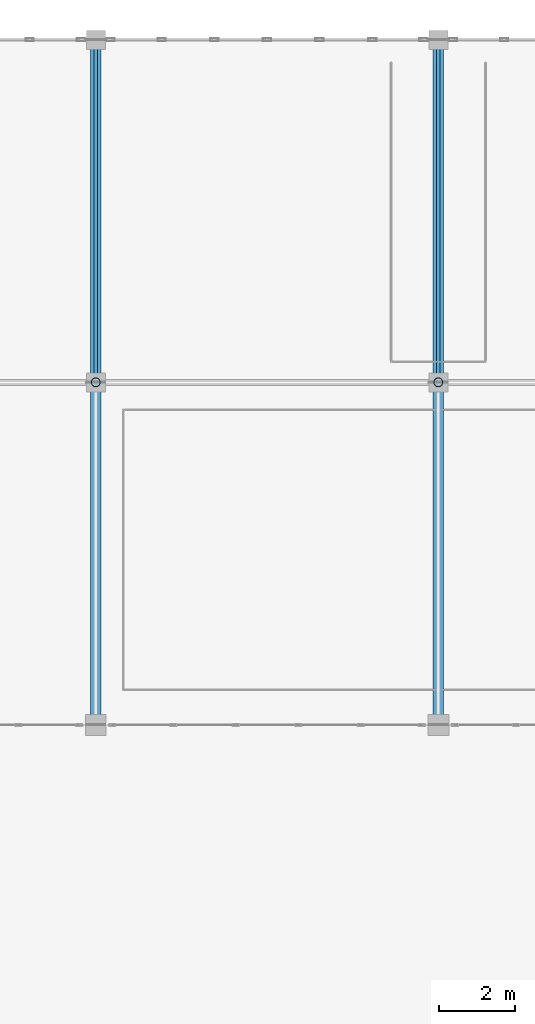
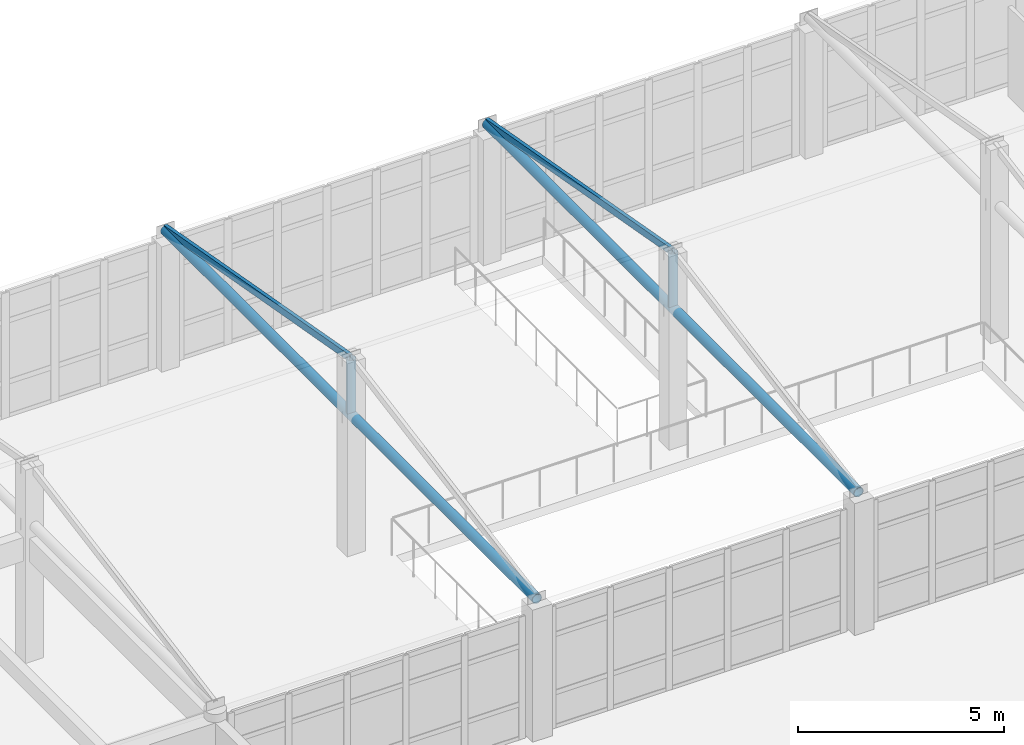
# One storey, part 61 of 156: 6 members.
"""IFC4 building model written with IfcOpenShell, lengths in metres."""

from ifc_helpers import new_model, si_unit, direction, frame, origin, origin_2d, place, context, subcontext, project, spatial, hollow_rectangle, hollow_circle, extrude, material, material_profile, profile_set, type_object, element, save


model = new_model("IFC4")

# Units and contexts
model_context = context("Model", 3, precision=1e-05, world=origin(), true_north=direction((0.0, 1.0)))
body_context = subcontext(model_context, "Body", "Model", "MODEL_VIEW")
ifc_project = project(units=[si_unit("LENGTHUNIT", "METRE"), si_unit("AREAUNIT", "SQUARE_METRE"), si_unit("VOLUMEUNIT", "CUBIC_METRE"), si_unit("PLANEANGLEUNIT", "RADIAN"), si_unit("MASSUNIT", "GRAM", prefix="KILO")], contexts=[model_context])

# Site, building, storey
site_placement = place(None, origin())
site = spatial("IfcSite", under=ifc_project, at=site_placement, CompositionType="ELEMENT")
building_placement = place(site_placement, origin())
building = spatial("IfcBuilding", under=site, at=building_placement, Name="Ornek Quay Market", CompositionType="ELEMENT")
storey_placement = place(building_placement, frame((0.0, 0.0, 4.5)))
storey = spatial("IfcBuildingStorey", under=building, at=storey_placement, Name="L01", CompositionType="ELEMENT", Elevation=4.5)

# Members
ifc_material = material(Name="Steel S355", Category="steel")
ifc_material_profile_1 = material_profile(ifc_material, hollow_circle(Radius=0.136474609375, WallThickness=0.012451171875, at=origin_2d()), Name="CHS 273x12.5", Category="steel")
ifc_profile_set_1 = profile_set([ifc_material_profile_1], Name="Steel S355")
member_type_1 = type_object("IfcMemberType", Name="MBR-CHD-CHS273", PredefinedType="CHORD", material=ifc_profile_set_1)
for number, where, z_axis, x_axis, name in (
    (1, (81.0, 92.0, 3.97998046875), (0.0, 1.0, 0.0), (-1.0, 0.0, 0.0), "Concourse skylight tie chord C-81"),
    (2, (90.0, 92.0, 3.97998046875), (0.0, 1.0, 0.0), (-1.0, 0.0, 0.0), "Concourse skylight tie chord C-90"),
):
    element("IfcMember", number, at=place(storey_placement, frame(where, z_axis=z_axis, x_axis=x_axis)), inside=storey, type_object=member_type_1, Name=name, PredefinedType="CHORD", context=body_context, shape_type="SweptSolid", body=[
        extrude(hollow_circle(Radius=0.136474609375, WallThickness=0.012451171875, at=origin_2d()), origin(), (0.0, 0.0, 1.0), 18.0),
    ])
ifc_material_profile_2 = material_profile(ifc_material, hollow_rectangle(XDim=0.10009765625, YDim=0.199951171875, WallThickness=0.008056640625, at=origin_2d()), Name="MBR-RAF-100x200", Category="steel")
ifc_profile_set_2 = profile_set([ifc_material_profile_2], Name="Steel S355")
member_type_2 = type_object("IfcMemberType", Name="MBR-RAF-100x200", PredefinedType="RAFTER", material=ifc_profile_set_2)
for number, where, z_axis, x_axis, name in (
    (3, (81.0, 101.0, 5.64990234375), (0.0, 0.984185744367, -0.177139551158), (-1.0, 0.0, 0.0), "Concourse skylight rafter C-81-N"),
    (4, (90.0, 101.0, 5.64990234375), (0.0, 0.984185744367, -0.177139551158), (-1.0, 0.0, 0.0), "Concourse skylight rafter C-90-N"),
):
    element("IfcMember", number, at=place(storey_placement, frame(where, z_axis=z_axis, x_axis=x_axis)), inside=storey, type_object=member_type_2, Name=name, PredefinedType="RAFTER", context=body_context, shape_type="SweptSolid", body=[
        extrude(hollow_rectangle(XDim=0.10009765625, YDim=0.199951171875, WallThickness=0.008056640625, at=origin_2d()), origin(), (0.0, 0.0, 1.0), 9.14453125),
    ])
ifc_material_profile_3 = material_profile(ifc_material, hollow_circle(Radius=0.122314453125, WallThickness=0.012451171875, at=origin_2d()), Name="CHS 244.5x12.5", Category="steel")
ifc_profile_set_3 = profile_set([ifc_material_profile_3], Name="Steel S355")
member_type_3 = type_object("IfcMemberType", Name="MBR-STR-CHS244", PredefinedType="STRUT", material=ifc_profile_set_3)
for number, where, z_axis, x_axis, name in (
    (5, (81.0, 101.0, 3.97998046875), (0.0, 0.0, 1.0), (1.0, 0.0, 0.0), "Concourse kingpost strut C-81"),
    (6, (90.0, 101.0, 3.97998046875), (0.0, 0.0, 1.0), (1.0, 0.0, 0.0), "Concourse kingpost strut C-90"),
):
    element("IfcMember", number, at=place(storey_placement, frame(where, z_axis=z_axis, x_axis=x_axis)), inside=storey, type_object=member_type_3, Name=name, PredefinedType="STRUT", context=body_context, shape_type="SweptSolid", body=[
        extrude(hollow_circle(Radius=0.122314453125, WallThickness=0.012451171875, at=origin_2d()), origin(), (0.0, 0.0, 1.0), 1.669921875),
    ])

save(model, "model.ifc")
